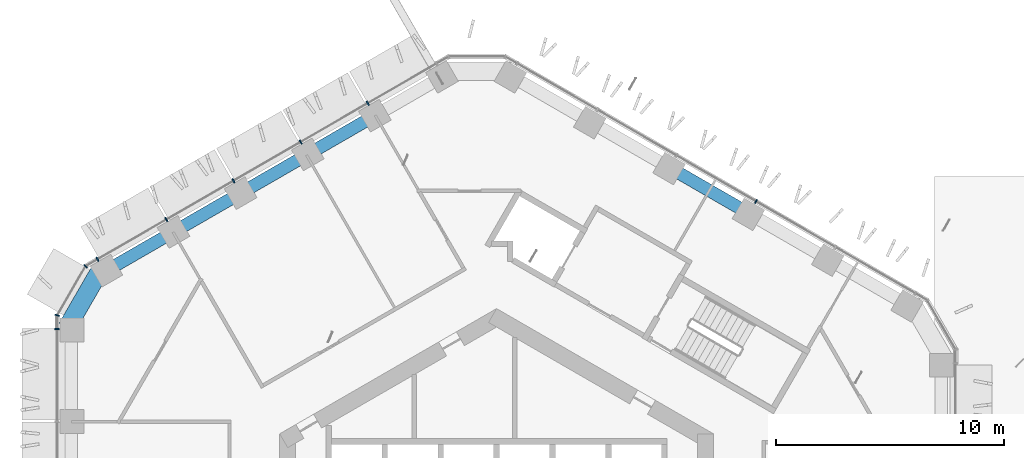
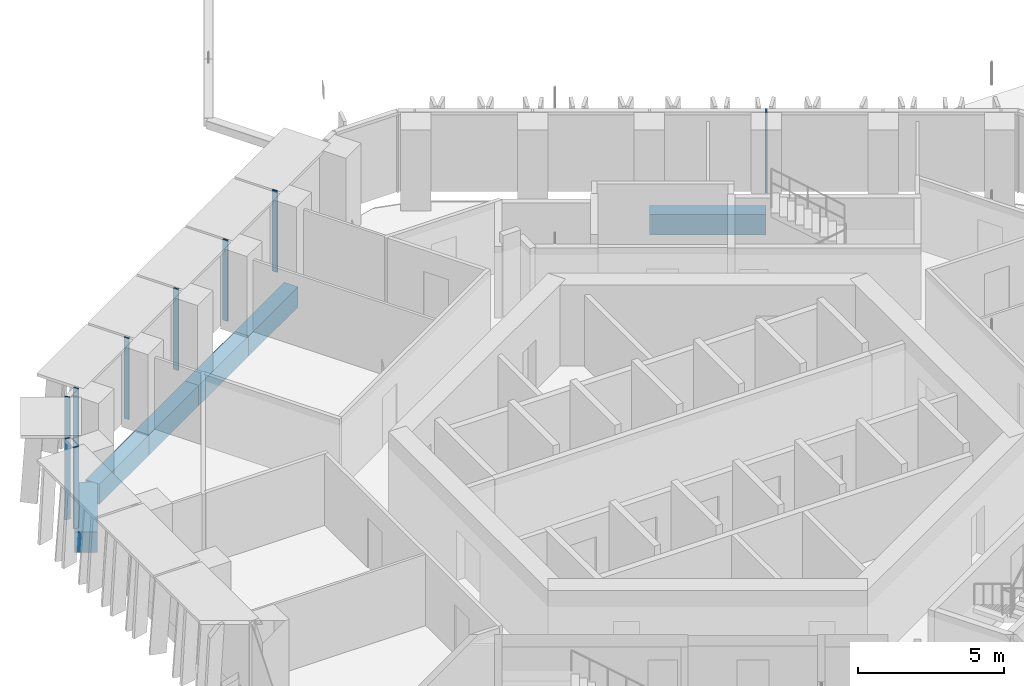
# One storey, part 5 of 25: 9 members, 6 beams, 4 elements without a shape of their own.
"""IFC4 building model written with IfcOpenShell, lengths in metres."""

from ifc_helpers import new_model, si_unit, direction, frame, origin, origin_2d, place, context, subcontext, project, spatial, rectangle, extrude, material, layer, layer_set, material_profile, profile_set, type_object, element, aggregate, save


model = new_model("IFC4")

# Units and contexts
model_context = context("Model", 3, precision=1e-05, world=origin(), true_north=direction((0.0, 1.0)))
body_context = subcontext(model_context, "Body", "Model", "MODEL_VIEW")
ifc_project = project(units=[si_unit("LENGTHUNIT", "METRE"), si_unit("AREAUNIT", "SQUARE_METRE"), si_unit("VOLUMEUNIT", "CUBIC_METRE"), si_unit("PLANEANGLEUNIT", "RADIAN"), si_unit("MASSUNIT", "GRAM", prefix="KILO")], contexts=[model_context])

# Site, building, storey
site_placement = place(None, origin())
site = spatial("IfcSite", under=ifc_project, at=site_placement, CompositionType="ELEMENT")
building_placement = place(site_placement, origin())
building = spatial("IfcBuilding", under=site, at=building_placement, Name="Ayvan Gate Tower", CompositionType="ELEMENT")
storey_placement = place(building_placement, frame((0.0, 0.0, 132.5)))
storey = spatial("IfcBuildingStorey", under=building, at=storey_placement, Name="L35", CompositionType="ELEMENT", Elevation=132.5)

# Beams
ifc_material_1 = material(Name="Concrete C40/50", Category="concrete")
ifc_material_profile_1 = material_profile(ifc_material_1, rectangle(XDim=0.800048828125, YDim=0.85009765625, at=origin_2d()), Name="RC 800x850")
ifc_profile_set_1 = profile_set([ifc_material_profile_1], Name="Concrete C40/50")
beam_type_1 = type_object("IfcBeamType", Name="Corner spandrel beam RC 800x850 C40/50", PredefinedType="BEAM", material=ifc_profile_set_1)
beam_1_placement = place(storey_placement, frame((-17.327392578125, 12.716064453125, -0.77490234375), z_axis=(-0.499990139034, -0.866031096941, 0.0), x_axis=(0.866031096941, -0.499990139034, 0.0)))
element("IfcBeam", 1, at=beam_1_placement, inside=storey, type_object=beam_type_1, Name="SB-L35-18", PredefinedType="BEAM", context=body_context, shape_type="SweptSolid", body=[
    extrude(rectangle(XDim=0.800048828125, YDim=0.85009765625, at=origin_2d()), origin(), (0.0, 0.0, 1.0), 3.0),
])
ifc_material_profile_2 = material_profile(ifc_material_1, rectangle(XDim=0.550048828125, YDim=0.85009765625, at=origin_2d()), Name="RC 550x850")
ifc_profile_set_2 = profile_set([ifc_material_profile_2], Name="Concrete C40/50")
beam_type_2 = type_object("IfcBeamType", Name="Spandrel beam RC 550x850 C40/50", PredefinedType="BEAM", material=ifc_profile_set_2)
beam_2_placement = place(storey_placement, frame((11.0517578125, 15.13916015625, -0.77490234375), z_axis=(-0.866008867249, 0.500028641026, 0.0), x_axis=(-0.500028641026, -0.866008867249, 0.0)))
element("IfcBeam", 2, at=beam_2_placement, inside=storey, type_object=beam_type_2, Name="SB-L35-9", PredefinedType="BEAM", context=body_context, shape_type="SweptSolid", body=[
    extrude(rectangle(XDim=0.550048828125, YDim=0.85009765625, at=origin_2d()), origin(), (0.0, 0.0, 1.0), 4.003173828125),
])
beam_3_placement = place(storey_placement, frame((-5.306396484375, 19.436279296875, -0.77490234375), z_axis=(-0.866026058841, -0.499998865407, 0.0), x_axis=(0.499998865407, -0.866026058841, 0.0)))
element("IfcBeam", 3, at=beam_3_placement, inside=storey, type_object=beam_type_2, Name="SB-L35-14", PredefinedType="BEAM", context=body_context, shape_type="SweptSolid", body=[
    extrude(rectangle(XDim=0.550048828125, YDim=0.85009765625, at=origin_2d()), origin(), (0.0, 0.0, 1.0), 3.4150390625),
])
beam_4_placement = place(storey_placement, frame((-8.263916015625, 17.728759765625, -0.77490234375), z_axis=(-0.866043929522, -0.499967911108, 0.0), x_axis=(0.499967911108, -0.866043929522, 0.0)))
element("IfcBeam", 4, at=beam_4_placement, inside=storey, type_object=beam_type_2, Name="SB-L35-15", PredefinedType="BEAM", context=body_context, shape_type="SweptSolid", body=[
    extrude(rectangle(XDim=0.550048828125, YDim=0.85009765625, at=origin_2d()), origin(), (0.0, 0.0, 1.0), 3.415283203125),
])
beam_5_placement = place(storey_placement, frame((-11.2216796875, 16.021240234375, -0.77490234375), z_axis=(-0.866026058841, -0.499998865407, 0.0), x_axis=(0.499998865407, -0.866026058841, 0.0)))
element("IfcBeam", 5, at=beam_5_placement, inside=storey, type_object=beam_type_2, Name="SB-L35-16", PredefinedType="BEAM", context=body_context, shape_type="SweptSolid", body=[
    extrude(rectangle(XDim=0.550048828125, YDim=0.85009765625, at=origin_2d()), origin(), (0.0, 0.0, 1.0), 3.4150390625),
])
beam_6_placement = place(storey_placement, frame((-14.17919921875, 14.313720703125, -0.77490234375), z_axis=(-0.865995102393, -0.500052479878, 0.0), x_axis=(0.500052479878, -0.865995102393, 0.0)))
element("IfcBeam", 6, at=beam_6_placement, inside=storey, type_object=beam_type_2, Name="SB-L35-17", PredefinedType="BEAM", context=body_context, shape_type="SweptSolid", body=[
    extrude(rectangle(XDim=0.550048828125, YDim=0.85009765625, at=origin_2d()), origin(), (0.0, 0.0, 1.0), 3.415283203125),
])

# Curtain wall, members
ifc_material_2 = material(Name="Bronze anodised aluminium", Category="aluminium")
ifc_layer_1 = layer(ifc_material_2, 0.199951171875)
ifc_layer_set_1 = layer_set([ifc_layer_1], Name="Bronze anodised aluminium")
curtain_wall_type_1 = type_object("IfcCurtainWallType", Name="Stick curtain wall CW-1", PredefinedType="NOTDEFINED", material=ifc_layer_set_1)
curtain_wall_1_placement = place(storey_placement, origin())
curtain_wall_1 = element("IfcCurtainWall", 7, at=curtain_wall_1_placement, inside=storey, type_object=curtain_wall_type_1, Name="Stick curtain wall CW-1 L35", PredefinedType="NOTDEFINED")
ifc_material_profile_3 = material_profile(ifc_material_2, rectangle(XDim=0.199951171875, YDim=0.06005859375, at=origin_2d()), Name="Stick curtain wall CW-1 mullion 200 x 60")
ifc_profile_set_3 = profile_set([ifc_material_profile_3], Name="Bronze anodised aluminium")
member_type_1 = type_object("IfcMemberType", Name="Stick curtain wall CW-1 mullion 200 x 60", PredefinedType="MULLION", material=ifc_profile_set_3)
member_1_placement = place(storey_placement, frame((-5.64501953125, 19.962646484375, 0.0), z_axis=(0.0, 0.0, 1.0), x_axis=(-0.5, 0.866025403784, 0.0)))
member_1 = element("IfcMember", 8, at=member_1_placement, type_object=member_type_1, Name="CW-1 mullion 2", PredefinedType="MULLION", context=body_context, shape_type="SweptSolid", body=[
    extrude(rectangle(XDim=0.199951171875, YDim=0.06005859375, at=origin_2d()), origin(), (0.0, 0.0, 1.0), 3.39990234375),
])
member_2_placement = place(storey_placement, frame((-8.585205078125, 18.26513671875, 0.0), z_axis=(0.0, 0.0, 1.0), x_axis=(-0.5, 0.866025403784, 0.0)))
member_2 = element("IfcMember", 9, at=member_2_placement, type_object=member_type_1, Name="CW-1 mullion 3", PredefinedType="MULLION", context=body_context, shape_type="SweptSolid", body=[
    extrude(rectangle(XDim=0.199951171875, YDim=0.06005859375, at=origin_2d()), origin(), (0.0, 0.0, 1.0), 3.39990234375),
])
member_3_placement = place(storey_placement, frame((-11.525390625, 16.567626953125, 0.0), z_axis=(0.0, 0.0, 1.0), x_axis=(-0.5, 0.866025403784, 0.0)))
member_3 = element("IfcMember", 10, at=member_3_placement, type_object=member_type_1, Name="CW-1 mullion 4", PredefinedType="MULLION", context=body_context, shape_type="SweptSolid", body=[
    extrude(rectangle(XDim=0.199951171875, YDim=0.06005859375, at=origin_2d()), origin(), (0.0, 0.0, 1.0), 3.39990234375),
])
member_4_placement = place(storey_placement, frame((-14.465576171875, 14.8701171875, 0.0), z_axis=(0.0, 0.0, 1.0), x_axis=(-0.5, 0.866025403784, 0.0)))
member_4 = element("IfcMember", 11, at=member_4_placement, type_object=member_type_1, Name="CW-1 mullion 5", PredefinedType="MULLION", context=body_context, shape_type="SweptSolid", body=[
    extrude(rectangle(XDim=0.199951171875, YDim=0.06005859375, at=origin_2d()), origin(), (0.0, 0.0, 1.0), 3.39990234375),
])
member_5_placement = place(storey_placement, frame((-17.48095703125, 13.12890625, 0.0), z_axis=(0.0, 0.0, 1.0), x_axis=(-0.5, 0.866025403784, 0.0)))
member_5 = element("IfcMember", 12, at=member_5_placement, type_object=member_type_1, Name="CW-1 mullion 6", PredefinedType="MULLION", context=body_context, shape_type="SweptSolid", body=[
    extrude(rectangle(XDim=0.199951171875, YDim=0.06005859375, at=origin_2d()), origin(), (0.0, 0.0, 1.0), 3.39990234375),
])
aggregate(curtain_wall_1, [member_1, member_2, member_3, member_4, member_5])

# Curtain wall, member
curtain_wall_2_placement = place(storey_placement, origin())
curtain_wall_2 = element("IfcCurtainWall", 13, at=curtain_wall_2_placement, inside=storey, type_object=curtain_wall_type_1, Name="Stick curtain wall CW-1 L35", PredefinedType="NOTDEFINED")
member_6_placement = place(storey_placement, frame((-19.248291015625, 10.068115234375, 0.0), z_axis=(0.0, 0.0, 1.0), x_axis=(-1.0, 0.0, 0.0)))
member_6 = element("IfcMember", 14, at=member_6_placement, type_object=member_type_1, Name="CW-1 mullion 1", PredefinedType="MULLION", context=body_context, shape_type="SweptSolid", body=[
    extrude(rectangle(XDim=0.199951171875, YDim=0.06005859375, at=origin_2d()), origin(), (0.0, 0.0, 1.0), 3.39990234375),
])
aggregate(curtain_wall_2, [member_6])

curtain_wall_3_placement = place(storey_placement, origin())
curtain_wall_3 = element("IfcCurtainWall", 15, at=curtain_wall_3_placement, inside=storey, type_object=curtain_wall_type_1, Name="Stick curtain wall CW-1 L35", PredefinedType="NOTDEFINED")
member_7_placement = place(storey_placement, frame((11.3623046875, 15.666015625, 0.0), z_axis=(0.0, 0.0, 1.0), x_axis=(0.5, 0.866025403784, 0.0)))
member_7 = element("IfcMember", 16, at=member_7_placement, type_object=member_type_1, Name="CW-1 mullion 3", PredefinedType="MULLION", context=body_context, shape_type="SweptSolid", body=[
    extrude(rectangle(XDim=0.199951171875, YDim=0.06005859375, at=origin_2d()), origin(), (0.0, 0.0, 1.0), 3.39990234375),
])
aggregate(curtain_wall_3, [member_7])

# Curtain wall, members
ifc_layer_2 = layer(ifc_material_2, 0.199951171875)
ifc_layer_set_2 = layer_set([ifc_layer_2], Name="Bronze anodised aluminium")
curtain_wall_type_2 = type_object("IfcCurtainWallType", Name="Stick curtain wall CW-6", PredefinedType="NOTDEFINED", material=ifc_layer_set_2)
curtain_wall_4_placement = place(storey_placement, origin())
curtain_wall_4 = element("IfcCurtainWall", 17, at=curtain_wall_4_placement, inside=storey, type_object=curtain_wall_type_2, Name="Stick curtain wall CW-6 L35", PredefinedType="NOTDEFINED")
ifc_material_profile_4 = material_profile(ifc_material_2, rectangle(XDim=0.199951171875, YDim=0.050048828125, at=origin_2d()), Name="Stick curtain wall CW-6 mullion 200 x 50")
ifc_profile_set_4 = profile_set([ifc_material_profile_4], Name="Bronze anodised aluminium")
member_type_2 = type_object("IfcMemberType", Name="Stick curtain wall CW-6 mullion 200 x 50", PredefinedType="MULLION", material=ifc_profile_set_4)
member_8_placement = place(storey_placement, frame((-18.005126953125, 12.826416015625, 0.0), z_axis=(0.0, 0.0, 1.0), x_axis=(-0.707106781187, 0.707106781187, 0.0)))
member_8 = element("IfcMember", 18, at=member_8_placement, type_object=member_type_2, Name="CW-6 mullion 2", PredefinedType="MULLION", context=body_context, shape_type="SweptSolid", body=[
    extrude(rectangle(XDim=0.199951171875, YDim=0.050048828125, at=origin_2d()), origin(), (0.0, 0.0, 1.0), 3.39990234375),
])
member_9_placement = place(storey_placement, frame((-19.248291015625, 10.673095703125, 0.0), z_axis=(0.0, 0.0, 1.0), x_axis=(-0.965925826289, 0.258819045103, 0.0)))
member_9 = element("IfcMember", 19, at=member_9_placement, type_object=member_type_2, Name="CW-6 mullion 3", PredefinedType="MULLION", context=body_context, shape_type="SweptSolid", body=[
    extrude(rectangle(XDim=0.199951171875, YDim=0.050048828125, at=origin_2d()), origin(), (0.0, 0.0, 1.0), 3.39990234375),
])
aggregate(curtain_wall_4, [member_8, member_9])

save(model, "model.ifc")
